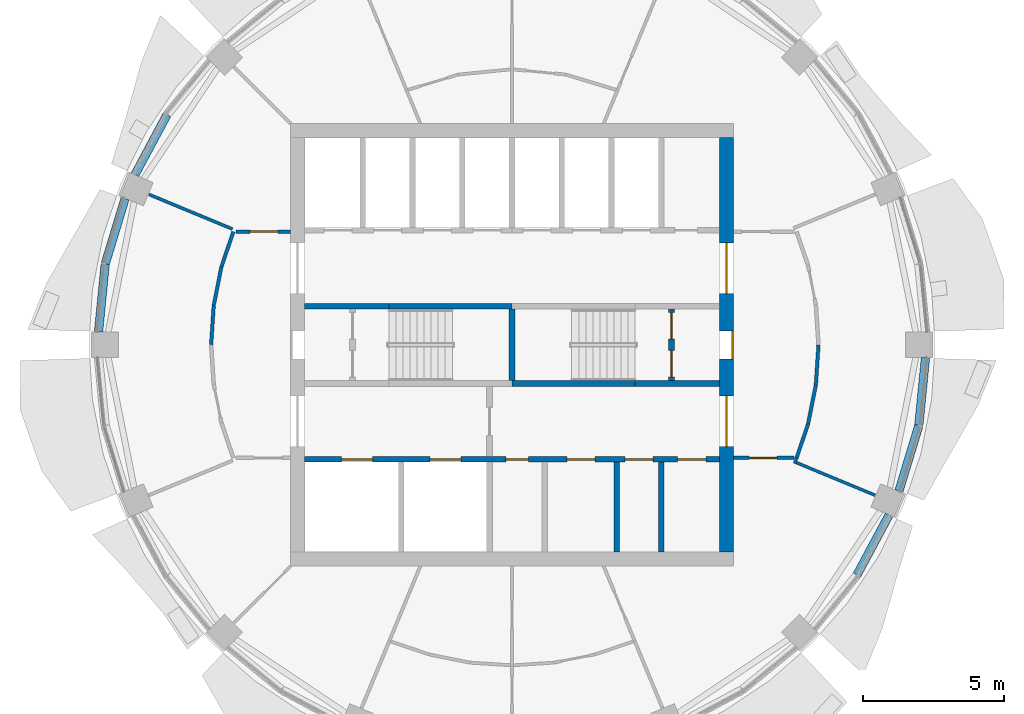
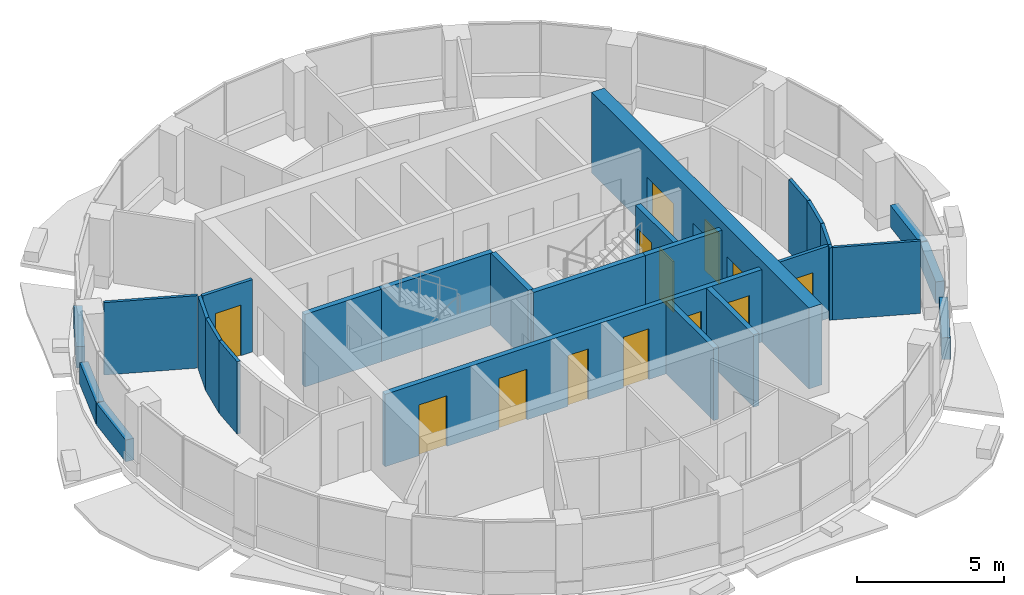
# One storey, part 8 of 14: 27 walls, 13 doors, 13 openings.
"""IFC4 building model written with IfcOpenShell, lengths in metres."""

import ifcopenshell
import ifcopenshell.guid

model = None  # the IFC model being written
_history = None  # IfcOwnerHistory: only IFC2X3 demands one
_inside = {}  # id of a spatial element -> (the spatial element, [elements in it])
_under = {}  # id of a project, library or spatial element -> (it, [spatial elements below it])
_declared = {}  # id of a project -> (the project, [libraries it declares])
_typed = {}  # id of a type object -> (the type object, [elements of that type])
_made_of = {}  # id of a material, layer set ... -> (it, [elements and type objects made of it])


def new_model(schema):
    """Start an empty IFC model of exactly this schema.

    Asked for "IFC4X3", IfcOpenShell would pick the latest addendum, in which some entities
    have other attributes; the version numbers below select the first issue.
    IFC2X3 requires an IfcOwnerHistory on every rooted entity: one is made here for all.
    """
    global model, _history
    if schema == "IFC4X3":
        model = ifcopenshell.file(schema_version=(4, 3, 0, 0))
    else:
        model = ifcopenshell.file(schema=schema)
    _inside.clear()
    _under.clear()
    _declared.clear()
    _typed.clear()
    _made_of.clear()
    _history = None
    if model.schema == "IFC2X3":
        org = make("IfcOrganization", Name="unknown")
        user = make(
            "IfcPersonAndOrganization",
            ThePerson=make("IfcPerson", FamilyName="unknown"),
            TheOrganization=org,
        )
        app = make(
            "IfcApplication",
            ApplicationDeveloper=org,
            Version="unknown",
            ApplicationFullName="unknown",
            ApplicationIdentifier="unknown",
        )
        _history = make(
            "IfcOwnerHistory",
            OwningUser=user,
            OwningApplication=app,
            ChangeAction="ADDED",
            CreationDate=0,
        )
    return model


def make(cls, **values):
    """One entity of the class cls with the attributes given. An attribute that is None is left unset."""
    return model.create_entity(
        cls, **{name: value for name, value in values.items() if value is not None}
    )


def rooted(cls, **values):
    """An entity with a GlobalId (a new one), such as an element, a storey or a relation."""
    return make(cls, GlobalId=ifcopenshell.guid.new(), OwnerHistory=_history, **values)


def si_unit(unit_type, name, prefix=None):
    """IfcSIUnit, for example si_unit("LENGTHUNIT", "METRE", prefix="MILLI")."""
    return make("IfcSIUnit", UnitType=unit_type, Prefix=prefix, Name=name)


def assignment(units):
    """IfcUnitAssignment: the units of a project."""
    return None if units is None else make("IfcUnitAssignment", Units=units)


def point(xyz):
    """IfcCartesianPoint."""
    return None if xyz is None else make("IfcCartesianPoint", Coordinates=xyz)


def direction(xyz):
    """IfcDirection."""
    return None if xyz is None else make("IfcDirection", DirectionRatios=xyz)


def frame(location, z_axis=None, x_axis=None):
    """IfcAxis2Placement3D, a coordinate frame: its origin and axes. An axis left out is left unset."""
    return make(
        "IfcAxis2Placement3D",
        Location=point(location),
        Axis=direction(z_axis),
        RefDirection=direction(x_axis),
    )


def frame_2d(location, x_axis=None):
    """IfcAxis2Placement2D, a coordinate frame in the plane: its origin and x axis."""
    return make(
        "IfcAxis2Placement2D", Location=point(location), RefDirection=direction(x_axis)
    )


def origin():
    """The frame at (0, 0, 0) with its axes left unset."""
    return frame((0.0, 0.0, 0.0))


def place(relative_to, where):
    """IfcLocalPlacement: puts the frame where relative to a parent placement (None: the world)."""
    return make(
        "IfcLocalPlacement", PlacementRelTo=relative_to, RelativePlacement=where
    )


def context(
    kind, dimensions, precision=None, world=None, true_north=None, identifier=None
):
    """IfcGeometricRepresentationContext, for example the 3D "Model" context."""
    return make(
        "IfcGeometricRepresentationContext",
        ContextIdentifier=identifier,
        ContextType=kind,
        CoordinateSpaceDimension=dimensions,
        Precision=precision,
        WorldCoordinateSystem=world,
        TrueNorth=true_north,
    )


def subcontext(parent, identifier, kind, view, scale=None):
    """IfcGeometricRepresentationSubContext, for example "Body" below "Model"."""
    return make(
        "IfcGeometricRepresentationSubContext",
        ContextIdentifier=identifier,
        ContextType=kind,
        ParentContext=parent,
        TargetScale=scale,
        TargetView=view,
    )


def project(units=None, contexts=None):
    """IfcProject with its units and contexts."""
    return rooted(
        "IfcProject",
        Name="project",
        RepresentationContexts=contexts,
        UnitsInContext=assignment(units),
    )


def spatial(cls, under=None, at=None, **own):
    """A site, building, storey or space (cls), placed at a placement, below another one or the project."""
    s = rooted(cls, ObjectPlacement=at, **own)
    if under is not None:
        _under.setdefault(under.id(), (under, []))[1].append(s)
    return s


def profile(cls, at=None, kind="AREA", **sizes):
    """A parametric profile (cls). Its sizes go by their IFC names, for example OverallWidth=200.0."""
    return make(cls, ProfileType=kind, Position=at, **sizes)


def rectangle(**sizes):
    """IfcRectangleProfileDef."""
    return profile("IfcRectangleProfileDef", **sizes)


def extrude(swept, where, along, depth):
    """IfcExtrudedAreaSolid: the profile swept, set in the frame where, extruded along a direction by depth."""
    return make(
        "IfcExtrudedAreaSolid",
        SweptArea=swept,
        Position=where,
        ExtrudedDirection=direction(along),
        Depth=depth,
    )


def shape(context_of_items, identifier, shape_type, items):
    """IfcShapeRepresentation: the items that make up one representation, for example the "Body"."""
    return make(
        "IfcShapeRepresentation",
        ContextOfItems=context_of_items,
        RepresentationIdentifier=identifier,
        RepresentationType=shape_type,
        Items=items,
    )


def material(Name=None, Category=None):
    """IfcMaterial."""
    return make("IfcMaterial", Name=Name, Category=Category)


def layer(
    of_material, thickness, ventilated=None, Name=None, Category=None, Priority=None
):
    """IfcMaterialLayer: one layer of a wall or slab, of a material (None: an air gap)."""
    return make(
        "IfcMaterialLayer",
        Material=of_material,
        LayerThickness=thickness,
        IsVentilated=ventilated,
        Name=Name,
        Category=Category,
        Priority=Priority,
    )


def layer_set(layers, Name=None):
    """IfcMaterialLayerSet."""
    return make("IfcMaterialLayerSet", MaterialLayers=layers, LayerSetName=Name)


def made_of(thing, what):
    """Note that an element or type object is made of a material, layer set ...; save() writes the relation."""
    if what is not None:
        _made_of.setdefault(what.id(), (what, []))[1].append(thing)
    return thing


def type_object(cls, material=None, **own):
    """A type object (cls), such as IfcWallType, which elements share."""
    return made_of(rooted(cls, **own), material)


def element(
    cls,
    number,
    at=None,
    inside=None,
    cuts=None,
    type_object=None,
    material=None,
    context=None,
    identifier="Body",
    shape_type=None,
    held_by="IfcProductDefinitionShape",
    body=None,
    shapes=None,
    **own,
):
    """One element of the class cls, such as IfcWall. Its Tag is "e" and its number.

    at: its placement. inside: the storey or other place that contains it. cuts: it is an
    opening in that element (IfcRelVoidsElement). A single representation is given by context,
    identifier, shape_type and body (its items); several are given by shapes. held_by: the class
    of the entity that holds the representations. save() writes the other relations.
    """
    e = rooted(cls, Tag="e%d" % number, ObjectPlacement=at, **own)
    if body is not None:
        shapes = [shape(context, identifier, shape_type, body)]
    if shapes is not None:
        e.Representation = make(held_by, Representations=shapes)
    if inside is not None:
        _inside.setdefault(inside.id(), (inside, []))[1].append(e)
    if cuts is not None:
        rooted(
            "IfcRelVoidsElement", RelatingBuildingElement=cuts, RelatedOpeningElement=e
        )
    if type_object is not None:
        _typed.setdefault(type_object.id(), (type_object, []))[1].append(e)
    return made_of(e, material)


def fill(opening, filler):
    """IfcRelFillsElement: the door or window that sits in an opening."""
    return rooted(
        "IfcRelFillsElement",
        RelatingOpeningElement=opening,
        RelatedBuildingElement=filler,
    )


def aggregate(whole, parts):
    """IfcRelAggregates: a whole, such as a stair, and the parts it consists of."""
    return rooted("IfcRelAggregates", RelatingObject=whole, RelatedObjects=parts)


def save(model, path):
    """Write the relations noted so far, then the file.

    IfcRelAggregates (storeys below a building ...), IfcRelContainedInSpatialStructure (elements
    in a storey), IfcRelDefinesByType, IfcRelAssociatesMaterial and IfcRelDeclares: one each for
    every whole, place, type object, material and project.
    """
    for whole, parts in _under.values():
        aggregate(whole, parts)
    for where, things in _inside.values():
        rooted(
            "IfcRelContainedInSpatialStructure",
            RelatedElements=things,
            RelatingStructure=where,
        )
    for kind, things in _typed.values():
        rooted("IfcRelDefinesByType", RelatedObjects=things, RelatingType=kind)
    for what, things in _made_of.values():
        rooted("IfcRelAssociatesMaterial", RelatedObjects=things, RelatingMaterial=what)
    for by, libraries in _declared.values():
        rooted("IfcRelDeclares", RelatingContext=by, RelatedDefinitions=libraries)
    model.write(path)


model = new_model("IFC4")

# Units and contexts
model_context = context("Model", 3, precision=1e-05, world=origin(), true_north=direction((0.0, 1.0)))
body_context = subcontext(model_context, "Body", "Model", "MODEL_VIEW")
ifc_project = project(units=[si_unit("LENGTHUNIT", "METRE"), si_unit("AREAUNIT", "SQUARE_METRE"), si_unit("VOLUMEUNIT", "CUBIC_METRE"), si_unit("PLANEANGLEUNIT", "RADIAN"), si_unit("MASSUNIT", "GRAM", prefix="KILO")], contexts=[model_context])

# Site, building, storey
site_placement = place(None, origin())
site = spatial("IfcSite", under=ifc_project, at=site_placement, CompositionType="ELEMENT")
building_placement = place(site_placement, origin())
building = spatial("IfcBuilding", under=site, at=building_placement, Name="Polderwave Tower", CompositionType="ELEMENT")
storey_placement = place(building_placement, frame((0.0, 0.0, 227.85009765625)))
storey = spatial("IfcBuildingStorey", under=building, at=storey_placement, Name="L62", CompositionType="ELEMENT", Elevation=227.85009765625)

# Wall, openings, doors
ifc_material_1 = material(Name="Concrete C60/75", Category="concrete")
ifc_layer_1 = layer(ifc_material_1, 0.5)
ifc_layer_set_1 = layer_set([ifc_layer_1], Name="CORE WALL 500 C60/75")
wall_type_1 = type_object("IfcWallType", Name="CORE WALL 500 C60/75", PredefinedType="SHEAR", material=ifc_layer_set_1)
wall_1_placement = place(storey_placement, frame((7.6240234375, -7.3740234375, 0.0), z_axis=(0.0, 0.0, 1.0), x_axis=(0.0, 1.0, 0.0)))
wall_1 = element("IfcWall", 1, at=wall_1_placement, inside=storey, type_object=wall_type_1, Name="ST-CORE-L62-E", PredefinedType="SHEAR", context=body_context, shape_type="SweptSolid", body=[
    extrude(rectangle(XDim=14.748046875, YDim=0.5, at=frame_2d((7.3740234375, 0.0))), origin(), (0.0, 0.0, 1.0), 3.349853515625),
])
opening_1_placement = place(wall_1_placement, frame((6.8740234375, 0.0, 0.0)))
opening_1 = element("IfcOpeningElement", 2, at=opening_1_placement, cuts=wall_1, Name="Opening L62-D23", PredefinedType="OPENING", context=body_context, shape_type="SweptSolid", body=[
    extrude(rectangle(XDim=1.0, YDim=2.10009765625, at=frame_2d((0.5, 1.050048828125))), frame((0.0, 0.260009765625, 0.0), z_axis=(0.0, -1.0, 0.0), x_axis=(1.0, 0.0, 0.0)), (0.0, 0.0, 1.0), 0.52001953125),
])
opening_2_placement = place(wall_1_placement, frame((3.74951171875, 0.0, 0.0)))
opening_2 = element("IfcOpeningElement", 3, at=opening_2_placement, cuts=wall_1, Name="Opening L62-D24", PredefinedType="OPENING", context=body_context, shape_type="SweptSolid", body=[
    extrude(rectangle(XDim=1.800048828125, YDim=2.10009765625, at=frame_2d((0.89990234375, 1.050048828125))), frame((0.0, 0.260009765625, 0.0), z_axis=(0.0, -1.0, 0.0), x_axis=(1.0, 0.0, 0.0)), (0.0, 0.0, 1.0), 0.52001953125),
])
opening_3_placement = place(wall_1_placement, frame((9.198486328125, 0.0, 0.0)))
opening_3 = element("IfcOpeningElement", 4, at=opening_3_placement, cuts=wall_1, Name="Opening L62-D25", PredefinedType="OPENING", context=body_context, shape_type="SweptSolid", body=[
    extrude(rectangle(XDim=1.800048828125, YDim=2.10009765625, at=frame_2d((0.89990234375, 1.050048828125))), frame((0.0, 0.260009765625, 0.0), z_axis=(0.0, -1.0, 0.0), x_axis=(1.0, 0.0, 0.0)), (0.0, 0.0, 1.0), 0.52001953125),
])
ifc_material_2 = material(Name="Steel fire door", Category="steel")
door_type_1 = type_object("IfcDoorType", Name="Lobby entry door pair 1800", OperationType="DOUBLE_DOOR_SINGLE_SWING", PredefinedType="DOOR", material=ifc_material_2)
door_1_placement = place(opening_2_placement, frame((1.800048828125, 0.0, 0.0), z_axis=(0.0, 0.0, 1.0), x_axis=(-1.0, 0.0, 0.0)))
door_1 = element("IfcDoor", 5, at=door_1_placement, inside=storey, type_object=door_type_1, Name="South lobby entry door", OperationType="DOUBLE_DOOR_SINGLE_SWING", OverallHeight=2.10009765625, OverallWidth=1.800048828125, PredefinedType="DOOR", context=body_context, shape_type="SweptSolid", body=[
    extrude(rectangle(XDim=1.800048828125, YDim=2.10009765625, at=frame_2d((0.89990234375, 1.050048828125))), frame((0.0, 0.02490234375, 0.0), z_axis=(0.0, -1.0, 0.0), x_axis=(1.0, 0.0, 0.0)), (0.0, 0.0, 1.0), 0.050048828125),
])
fill(opening_2, door_1)
door_2_placement = place(opening_3_placement, frame((1.800048828125, 0.0, 0.0), z_axis=(0.0, 0.0, 1.0), x_axis=(-1.0, 0.0, 0.0)))
door_2 = element("IfcDoor", 6, at=door_2_placement, inside=storey, type_object=door_type_1, Name="North lobby entry door", OperationType="DOUBLE_DOOR_SINGLE_SWING", OverallHeight=2.10009765625, OverallWidth=1.800048828125, PredefinedType="DOOR", context=body_context, shape_type="SweptSolid", body=[
    extrude(rectangle(XDim=1.800048828125, YDim=2.10009765625, at=frame_2d((0.89990234375, 1.050048828125))), frame((0.0, 0.02490234375, 0.0), z_axis=(0.0, -1.0, 0.0), x_axis=(1.0, 0.0, 0.0)), (0.0, 0.0, 1.0), 0.050048828125),
])
fill(opening_3, door_2)
door_type_2 = type_object("IfcDoorType", Name="Stair door 1000", OperationType="NOTDEFINED", PredefinedType="DOOR", material=ifc_material_2)
door_3_placement = place(opening_1_placement, frame((1.0, 0.0, 0.0), z_axis=(0.0, 0.0, 1.0), x_axis=(-1.0, 0.0, 0.0)))
door_3 = element("IfcDoor", 7, at=door_3_placement, inside=storey, type_object=door_type_2, Name="Stair B entry door", OperationType="SINGLE_SWING_LEFT", OverallHeight=2.10009765625, OverallWidth=1.0, PredefinedType="DOOR", context=body_context, shape_type="SweptSolid", body=[
    extrude(rectangle(XDim=1.0, YDim=2.10009765625, at=frame_2d((0.5, 1.050048828125))), frame((0.0, 0.25, 0.0), z_axis=(0.0, -1.0, 0.0), x_axis=(1.0, 0.0, 0.0)), (0.0, 0.0, 1.0), 0.050048828125),
])
fill(opening_1, door_3)

# Walls
ifc_material_3 = material(Name="Concrete C50/60 (board-marked)", Category="concrete")
ifc_layer_2 = layer(ifc_material_3, 0.300048828125)
ifc_layer_set_2 = layer_set([ifc_layer_2], Name="Concrete spandrel upstand C50/60")
wall_type_2 = type_object("IfcWallType", Name="Concrete spandrel upstand C50/60", PredefinedType="SOLIDWALL", material=ifc_layer_set_2)
wall_2_placement = place(storey_placement, frame((-12.27099609375, 8.180908203125, 0.0), z_axis=(0.0, 0.0, 1.0), x_axis=(-0.471318859495, -0.881962886229, 0.0)))
element("IfcWall", 8, at=wall_2_placement, inside=storey, type_object=wall_type_2, Name="Spandrel L62 7b", PredefinedType="SOLIDWALL", context=body_context, shape_type="SweptSolid", body=[
    extrude(rectangle(XDim=2.41015625, YDim=0.300048828125, at=frame_2d((1.205078125, 0.0))), origin(), (0.0, 0.0, 1.0), 0.89990234375),
])
wall_3_placement = place(storey_placement, frame((-13.762451171875, 5.198486328125, 0.0), z_axis=(0.0, 0.0, 1.0), x_axis=(-0.290412066449, -0.956901683383, 0.0)))
element("IfcWall", 9, at=wall_3_placement, inside=storey, type_object=wall_type_2, Name="Spandrel L62 8a", PredefinedType="SOLIDWALL", context=body_context, shape_type="SweptSolid", body=[
    extrude(rectangle(XDim=2.4111328125, YDim=0.300048828125, at=frame_2d((1.20556640625, 0.0))), origin(), (0.0, 0.0, 1.0), 0.89990234375),
])
wall_4_placement = place(storey_placement, frame((-14.468505859375, 2.862060546875, 0.0), z_axis=(0.0, 0.0, 1.0), x_axis=(-0.09792937678, -0.99519336672, 0.0)))
element("IfcWall", 10, at=wall_4_placement, inside=storey, type_object=wall_type_2, Name="Spandrel L62 8b", PredefinedType="SOLIDWALL", context=body_context, shape_type="SweptSolid", body=[
    extrude(rectangle(XDim=2.41064453125, YDim=0.300048828125, at=frame_2d((1.205322265625, 0.0))), origin(), (0.0, 0.0, 1.0), 0.89990234375),
])
wall_5_placement = place(storey_placement, frame((12.27099609375, -8.180908203125, 0.0), z_axis=(0.0, 0.0, 1.0), x_axis=(0.471318859495, 0.881962886229, 0.0)))
element("IfcWall", 11, at=wall_5_placement, inside=storey, type_object=wall_type_2, Name="Spandrel L62 15b", PredefinedType="SOLIDWALL", context=body_context, shape_type="SweptSolid", body=[
    extrude(rectangle(XDim=2.41015625, YDim=0.300048828125, at=frame_2d((1.205078125, 0.0))), origin(), (0.0, 0.0, 1.0), 0.89990234375),
])
wall_6_placement = place(storey_placement, frame((13.762451171875, -5.198486328125, 0.0), z_axis=(0.0, 0.0, 1.0), x_axis=(0.290412066449, 0.956901683383, 0.0)))
element("IfcWall", 12, at=wall_6_placement, inside=storey, type_object=wall_type_2, Name="Spandrel L62 16a", PredefinedType="SOLIDWALL", context=body_context, shape_type="SweptSolid", body=[
    extrude(rectangle(XDim=2.4111328125, YDim=0.300048828125, at=frame_2d((1.20556640625, 0.0))), origin(), (0.0, 0.0, 1.0), 0.89990234375),
])
wall_7_placement = place(storey_placement, frame((14.468505859375, -2.862060546875, 0.0), z_axis=(0.0, 0.0, 1.0), x_axis=(0.09792937678, 0.99519336672, 0.0)))
element("IfcWall", 13, at=wall_7_placement, inside=storey, type_object=wall_type_2, Name="Spandrel L62 16b", PredefinedType="SOLIDWALL", context=body_context, shape_type="SweptSolid", body=[
    extrude(rectangle(XDim=2.41064453125, YDim=0.300048828125, at=frame_2d((1.205322265625, 0.0))), origin(), (0.0, 0.0, 1.0), 0.89990234375),
])
ifc_material_4 = material(Name="Gypsum board partition")
ifc_layer_3 = layer(ifc_material_4, 0.199951171875)
ifc_layer_set_3 = layer_set([ifc_layer_3], Name="Core room partition 200")
wall_type_3 = type_object("IfcWallType", Name="Core room partition 200", PredefinedType="PARTITIONING", material=ifc_layer_set_3)
for number, where, z_axis, x_axis, name in (
    (14, (3.73046875, -7.3740234375, 0.0), (0.0, 0.0, 1.0), (0.0, 1.0, 0.0), "L62 room partition S2"),
    (15, (5.30712890625, -7.3740234375, 0.0), (0.0, 0.0, 1.0), (0.0, 1.0, 0.0), "L62 room partition S3"),
):
    element("IfcWall", number, at=place(storey_placement, frame(where, z_axis=z_axis, x_axis=x_axis)), inside=storey, type_object=wall_type_3, Name=name, PredefinedType="PARTITIONING", context=body_context, shape_type="SweptSolid", body=[
        extrude(rectangle(XDim=3.199951171875, YDim=0.199951171875, at=frame_2d((1.60009765625, 0.0))), origin(), (0.0, 0.0, 1.0), 3.0),
    ])

# Wall, openings, doors
wall_8_placement = place(storey_placement, frame((5.674072265625, -1.27490234375, 0.0), z_axis=(0.0, 0.0, 1.0), x_axis=(0.0, 1.0, 0.0)))
wall_8 = element("IfcWall", 16, at=wall_8_placement, inside=storey, type_object=wall_type_3, Name="L62 smoke lobby wall B", PredefinedType="PARTITIONING", context=body_context, shape_type="SweptSolid", body=[
    extrude(rectangle(XDim=2.5498046875, YDim=0.199951171875, at=frame_2d((1.27490234375, 0.0))), origin(), (0.0, 0.0, 1.0), 3.0),
])
opening_4_placement = place(wall_8_placement, frame((0.125, 0.0, 0.0)))
opening_4 = element("IfcOpeningElement", 17, at=opening_4_placement, cuts=wall_8, Name="Opening L62-D12", PredefinedType="OPENING", context=body_context, shape_type="SweptSolid", body=[
    extrude(rectangle(XDim=0.949951171875, YDim=2.10009765625, at=frame_2d((0.47509765625, 1.050048828125))), frame((0.0, 0.10986328125, 0.0), z_axis=(0.0, -1.0, 0.0), x_axis=(1.0, 0.0, 0.0)), (0.0, 0.0, 1.0), 0.219970703125),
])
opening_5_placement = place(wall_8_placement, frame((1.47509765625, 0.0, 0.0)))
opening_5 = element("IfcOpeningElement", 18, at=opening_5_placement, cuts=wall_8, Name="Opening L62-D13", PredefinedType="OPENING", context=body_context, shape_type="SweptSolid", body=[
    extrude(rectangle(XDim=0.949951171875, YDim=2.10009765625, at=frame_2d((0.47509765625, 1.050048828125))), frame((0.0, 0.10986328125, 0.0), z_axis=(0.0, -1.0, 0.0), x_axis=(1.0, 0.0, 0.0)), (0.0, 0.0, 1.0), 0.219970703125),
])
door_type_3 = type_object("IfcDoorType", Name="Smoke lobby door 950", OperationType="NOTDEFINED", PredefinedType="DOOR", material=ifc_material_2)
door_4_placement = place(opening_4_placement, frame((0.949951171875, 0.0, 0.0), z_axis=(0.0, 0.0, 1.0), x_axis=(-1.0, 0.0, 0.0)))
door_4 = element("IfcDoor", 19, at=door_4_placement, inside=storey, type_object=door_type_3, Name="Stair B smoke lobby inner door", OperationType="SINGLE_SWING_RIGHT", OverallHeight=2.10009765625, OverallWidth=0.949951171875, PredefinedType="DOOR", context=body_context, shape_type="SweptSolid", body=[
    extrude(rectangle(XDim=0.949951171875, YDim=2.10009765625, at=frame_2d((0.47509765625, 1.050048828125))), frame((0.0, 0.02490234375, 0.0), z_axis=(0.0, -1.0, 0.0), x_axis=(1.0, 0.0, 0.0)), (0.0, 0.0, 1.0), 0.050048828125),
])
fill(opening_4, door_4)
door_5_placement = place(opening_5_placement, frame((0.949951171875, 0.0, 0.0), z_axis=(0.0, 0.0, 1.0), x_axis=(-1.0, 0.0, 0.0)))
door_5 = element("IfcDoor", 20, at=door_5_placement, inside=storey, type_object=door_type_3, Name="Stair B smoke lobby inner door", OperationType="SINGLE_SWING_LEFT", OverallHeight=2.10009765625, OverallWidth=0.949951171875, PredefinedType="DOOR", context=body_context, shape_type="SweptSolid", body=[
    extrude(rectangle(XDim=0.949951171875, YDim=2.10009765625, at=frame_2d((0.47509765625, 1.050048828125))), frame((0.0, 0.02490234375, 0.0), z_axis=(0.0, -1.0, 0.0), x_axis=(1.0, 0.0, 0.0)), (0.0, 0.0, 1.0), 0.050048828125),
])
fill(opening_5, door_5)

ifc_material_5 = material(Name="Concrete C50/60", Category="concrete")
ifc_layer_4 = layer(ifc_material_5, 0.199951171875)
ifc_layer_set_4 = layer_set([ifc_layer_4], Name="Core web wall 200")
wall_type_4 = type_object("IfcWallType", Name="Core web wall 200", PredefinedType="SHEAR", material=ifc_layer_set_4)
wall_9_placement = place(storey_placement, frame((-7.3740234375, -4.073974609375, 0.0), z_axis=(0.0, 0.0, 1.0), x_axis=(1.0, 0.0, 0.0)))
wall_9 = element("IfcWall", 21, at=wall_9_placement, inside=storey, type_object=wall_type_4, Name="L62 south front wall", PredefinedType="SHEAR", context=body_context, shape_type="SweptSolid", body=[
    extrude(rectangle(XDim=14.748046875, YDim=0.199951171875, at=frame_2d((7.3740234375, 0.0))), origin(), (0.0, 0.0, 1.0), 3.0),
])
opening_6_placement = place(wall_9_placement, frame((1.318603515625, 0.0, 0.0)))
opening_6 = element("IfcOpeningElement", 22, at=opening_6_placement, cuts=wall_9, Name="Opening L62-D01", PredefinedType="OPENING", context=body_context, shape_type="SweptSolid", body=[
    extrude(rectangle(XDim=1.10009765625, YDim=2.10009765625, at=frame_2d((0.550048828125, 1.050048828125))), frame((0.0, 0.10986328125, 0.0), z_axis=(0.0, -1.0, 0.0), x_axis=(1.0, 0.0, 0.0)), (0.0, 0.0, 1.0), 0.219970703125),
])
opening_7_placement = place(wall_9_placement, frame((4.45556640625, 0.0, 0.0)))
opening_7 = element("IfcOpeningElement", 23, at=opening_7_placement, cuts=wall_9, Name="Opening L62-D02", PredefinedType="OPENING", context=body_context, shape_type="SweptSolid", body=[
    extrude(rectangle(XDim=1.10009765625, YDim=2.10009765625, at=frame_2d((0.550048828125, 1.050048828125))), frame((0.0, 0.10986328125, 0.0), z_axis=(0.0, -1.0, 0.0), x_axis=(1.0, 0.0, 0.0)), (0.0, 0.0, 1.0), 0.219970703125),
])
opening_8_placement = place(wall_9_placement, frame((7.1591796875, 0.0, 0.0)))
opening_8 = element("IfcOpeningElement", 24, at=opening_8_placement, cuts=wall_9, Name="Opening L62-D15", PredefinedType="OPENING", context=body_context, shape_type="SweptSolid", body=[
    extrude(rectangle(XDim=0.800048828125, YDim=2.10009765625, at=frame_2d((0.39990234375, 1.050048828125))), frame((0.0, 0.10986328125, 0.0), z_axis=(0.0, -1.0, 0.0), x_axis=(1.0, 0.0, 0.0)), (0.0, 0.0, 1.0), 0.219970703125),
])
opening_9_placement = place(wall_9_placement, frame((9.32421875, 0.0, 0.0)))
opening_9 = element("IfcOpeningElement", 25, at=opening_9_placement, cuts=wall_9, Name="Opening L62-D16", PredefinedType="OPENING", context=body_context, shape_type="SweptSolid", body=[
    extrude(rectangle(XDim=1.0, YDim=2.10009765625, at=frame_2d((0.5, 1.050048828125))), frame((0.0, 0.10986328125, 0.0), z_axis=(0.0, -1.0, 0.0), x_axis=(1.0, 0.0, 0.0)), (0.0, 0.0, 1.0), 0.219970703125),
])
opening_10_placement = place(wall_9_placement, frame((11.392822265625, 0.0, 0.0)))
opening_10 = element("IfcOpeningElement", 26, at=opening_10_placement, cuts=wall_9, Name="Opening L62-D17", PredefinedType="OPENING", context=body_context, shape_type="SweptSolid", body=[
    extrude(rectangle(XDim=1.0, YDim=2.10009765625, at=frame_2d((0.5, 1.050048828125))), frame((0.0, 0.10986328125, 0.0), z_axis=(0.0, -1.0, 0.0), x_axis=(1.0, 0.0, 0.0)), (0.0, 0.0, 1.0), 0.219970703125),
])
opening_11_placement = place(wall_9_placement, frame((13.2646484375, 0.0, 0.0)))
opening_11 = element("IfcOpeningElement", 27, at=opening_11_placement, cuts=wall_9, Name="Opening L62-D18", PredefinedType="OPENING", context=body_context, shape_type="SweptSolid", body=[
    extrude(rectangle(XDim=1.0, YDim=2.10009765625, at=frame_2d((0.5, 1.050048828125))), frame((0.0, 0.10986328125, 0.0), z_axis=(0.0, -1.0, 0.0), x_axis=(1.0, 0.0, 0.0)), (0.0, 0.0, 1.0), 0.219970703125),
])
ifc_material_6 = material(Name="Stainless steel", Category="steel")
door_type_4 = type_object("IfcDoorType", Name="Fire-fighting lift landing door 1100", OperationType="DOUBLE_DOOR_SLIDING", PredefinedType="DOOR", material=ifc_material_6)
door_6_placement = place(opening_6_placement, origin())
door_6 = element("IfcDoor", 28, at=door_6_placement, inside=storey, type_object=door_type_4, Name="Fire-fighting lift FF1 landing door", OperationType="DOUBLE_DOOR_SLIDING", OverallHeight=2.10009765625, OverallWidth=1.10009765625, PredefinedType="DOOR", context=body_context, shape_type="SweptSolid", body=[
    extrude(rectangle(XDim=1.10009765625, YDim=2.10009765625, at=frame_2d((0.550048828125, 1.050048828125))), frame((0.0, 0.02490234375, 0.0), z_axis=(0.0, -1.0, 0.0), x_axis=(1.0, 0.0, 0.0)), (0.0, 0.0, 1.0), 0.050048828125),
])
fill(opening_6, door_6)
door_7_placement = place(opening_7_placement, origin())
door_7 = element("IfcDoor", 29, at=door_7_placement, inside=storey, type_object=door_type_4, Name="Fire-fighting lift FF2 landing door", OperationType="DOUBLE_DOOR_SLIDING", OverallHeight=2.10009765625, OverallWidth=1.10009765625, PredefinedType="DOOR", context=body_context, shape_type="SweptSolid", body=[
    extrude(rectangle(XDim=1.10009765625, YDim=2.10009765625, at=frame_2d((0.550048828125, 1.050048828125))), frame((0.0, 0.02490234375, 0.0), z_axis=(0.0, -1.0, 0.0), x_axis=(1.0, 0.0, 0.0)), (0.0, 0.0, 1.0), 0.050048828125),
])
fill(opening_7, door_7)
door_type_5 = type_object("IfcDoorType", Name="Riser door 800", OperationType="NOTDEFINED", PredefinedType="DOOR", material=ifc_material_2)
door_8_placement = place(opening_8_placement, origin())
door_8 = element("IfcDoor", 30, at=door_8_placement, inside=storey, type_object=door_type_5, Name="Communications room door", OperationType="SINGLE_SWING_RIGHT", OverallHeight=2.10009765625, OverallWidth=0.800048828125, PredefinedType="DOOR", context=body_context, shape_type="SweptSolid", body=[
    extrude(rectangle(XDim=0.800048828125, YDim=2.10009765625, at=frame_2d((0.39990234375, 1.050048828125))), frame((0.0, 0.02490234375, 0.0), z_axis=(0.0, -1.0, 0.0), x_axis=(1.0, 0.0, 0.0)), (0.0, 0.0, 1.0), 0.050048828125),
])
fill(opening_8, door_8)
ifc_material_7 = material(Name="Timber door leaf", Category="wood")
door_type_6 = type_object("IfcDoorType", Name="Room door 1000", OperationType="NOTDEFINED", PredefinedType="DOOR", material=ifc_material_7)
door_9_placement = place(opening_9_placement, frame((1.0, 0.0, 0.0), z_axis=(0.0, 0.0, 1.0), x_axis=(-1.0, 0.0, 0.0)))
door_9 = element("IfcDoor", 31, at=door_9_placement, inside=storey, type_object=door_type_6, Name="Store door", OperationType="SINGLE_SWING_LEFT", OverallHeight=2.10009765625, OverallWidth=1.0, PredefinedType="DOOR", context=body_context, shape_type="SweptSolid", body=[
    extrude(rectangle(XDim=1.0, YDim=2.10009765625, at=frame_2d((0.5, 1.050048828125))), frame((0.0, 0.02490234375, 0.0), z_axis=(0.0, -1.0, 0.0), x_axis=(1.0, 0.0, 0.0)), (0.0, 0.0, 1.0), 0.050048828125),
])
fill(opening_9, door_9)
door_10_placement = place(opening_10_placement, frame((1.0, 0.0, 0.0), z_axis=(0.0, 0.0, 1.0), x_axis=(-1.0, 0.0, 0.0)))
door_10 = element("IfcDoor", 32, at=door_10_placement, inside=storey, type_object=door_type_6, Name="Staff WC door", OperationType="SINGLE_SWING_LEFT", OverallHeight=2.10009765625, OverallWidth=1.0, PredefinedType="DOOR", context=body_context, shape_type="SweptSolid", body=[
    extrude(rectangle(XDim=1.0, YDim=2.10009765625, at=frame_2d((0.5, 1.050048828125))), frame((0.0, 0.02490234375, 0.0), z_axis=(0.0, -1.0, 0.0), x_axis=(1.0, 0.0, 0.0)), (0.0, 0.0, 1.0), 0.050048828125),
])
fill(opening_10, door_10)
door_11_placement = place(opening_11_placement, frame((1.0, 0.0, 0.0), z_axis=(0.0, 0.0, 1.0), x_axis=(-1.0, 0.0, 0.0)))
door_11 = element("IfcDoor", 33, at=door_11_placement, inside=storey, type_object=door_type_6, Name="Housekeeping store door", OperationType="SINGLE_SWING_LEFT", OverallHeight=2.10009765625, OverallWidth=1.0, PredefinedType="DOOR", context=body_context, shape_type="SweptSolid", body=[
    extrude(rectangle(XDim=1.0, YDim=2.10009765625, at=frame_2d((0.5, 1.050048828125))), frame((0.0, 0.02490234375, 0.0), z_axis=(0.0, -1.0, 0.0), x_axis=(1.0, 0.0, 0.0)), (0.0, 0.0, 1.0), 0.050048828125),
])
fill(opening_11, door_11)

# Walls
wall_10_placement = place(storey_placement, frame((0.0, -1.375, 0.0), z_axis=(0.0, 0.0, 1.0), x_axis=(1.0, 0.0, 0.0)))
element("IfcWall", 34, at=wall_10_placement, inside=storey, type_object=wall_type_4, Name="L62 south stair wall 3", PredefinedType="SHEAR", context=body_context, shape_type="SweptSolid", body=[
    extrude(rectangle(XDim=4.3740234375, YDim=0.199951171875, at=frame_2d((2.18701171875, 0.0))), origin(), (0.0, 0.0, 1.0), 3.0),
])
for number, where, z_axis, x_axis, name in (
    (35, (4.3740234375, -1.375, 0.0), (0.0, 0.0, 1.0), (1.0, 0.0, 0.0), "L62 south stair wall 4"),
    (36, (-7.3740234375, 1.375, 0.0), (0.0, 0.0, 1.0), (1.0, 0.0, 0.0), "L62 north stair wall 1"),
):
    element("IfcWall", number, at=place(storey_placement, frame(where, z_axis=z_axis, x_axis=x_axis)), inside=storey, type_object=wall_type_4, Name=name, PredefinedType="SHEAR", context=body_context, shape_type="SweptSolid", body=[
        extrude(rectangle(XDim=3.0, YDim=0.199951171875, at=frame_2d((1.5, 0.0))), origin(), (0.0, 0.0, 1.0), 3.0),
    ])
wall_11_placement = place(storey_placement, frame((-4.3740234375, 1.375, 0.0), z_axis=(0.0, 0.0, 1.0), x_axis=(1.0, 0.0, 0.0)))
element("IfcWall", 37, at=wall_11_placement, inside=storey, type_object=wall_type_4, Name="L62 north stair wall 2", PredefinedType="SHEAR", context=body_context, shape_type="SweptSolid", body=[
    extrude(rectangle(XDim=4.3740234375, YDim=0.199951171875, at=frame_2d((2.18701171875, 0.0))), origin(), (0.0, 0.0, 1.0), 3.0),
])
wall_12_placement = place(storey_placement, frame((0.0, -1.27490234375, 0.0), z_axis=(0.0, 0.0, 1.0), x_axis=(0.0, 1.0, 0.0)))
element("IfcWall", 38, at=wall_12_placement, inside=storey, type_object=wall_type_4, Name="L62 wall between the stairs", PredefinedType="SHEAR", context=body_context, shape_type="SweptSolid", body=[
    extrude(rectangle(XDim=2.5498046875, YDim=0.199951171875, at=frame_2d((1.27490234375, 0.0))), origin(), (0.0, 0.0, 1.0), 3.0),
])
ifc_material_8 = material(Name="Fire-resisting board on steel studs", Category="steel")
ifc_layer_5 = layer(ifc_material_8, 0.125)
ifc_layer_set_5 = layer_set([ifc_layer_5], Name="Corridor wall 125 mm EI 60")
wall_type_5 = type_object("IfcWallType", Name="Corridor wall 125 mm EI 60", PredefinedType="PARTITIONING", material=ifc_layer_set_5)
wall_13_placement = place(storey_placement, frame((10.52734375, -2.824951171875, 0.0), z_axis=(0.0, 0.0, 1.0), x_axis=(-0.321484610675, -0.946914803506, 0.0)))
element("IfcWall", 39, at=wall_13_placement, inside=storey, type_object=wall_type_5, Name="IN-L62-W002", PredefinedType="PARTITIONING", context=body_context, shape_type="SweptSolid", body=[
    extrude(rectangle(XDim=1.2666015625, YDim=0.125, at=frame_2d((0.63330078125, 0.0))), origin(), (0.0, 0.0, 1.0), 3.0),
])
wall_14_placement = place(storey_placement, frame((10.805908203125, -1.4267578125, 0.0), z_axis=(0.0, 0.0, 1.0), x_axis=(-0.195122471741, -0.980778884878, 0.0)))
element("IfcWall", 40, at=wall_14_placement, inside=storey, type_object=wall_type_5, Name="IN-L62-W004", PredefinedType="PARTITIONING", context=body_context, shape_type="SweptSolid", body=[
    extrude(rectangle(XDim=1.417724609375, YDim=0.125, at=frame_2d((0.708984375, 0.0))), origin(), (0.0, 0.0, 1.0), 3.0),
])
wall_15_placement = place(storey_placement, frame((10.899658203125, -0.004150390625, 0.0), z_axis=(0.0, 0.0, 1.0), x_axis=(-0.065444487472, -0.997856211615, 0.0)))
element("IfcWall", 41, at=wall_15_placement, inside=storey, type_object=wall_type_5, Name="IN-L62-W006", PredefinedType="PARTITIONING", context=body_context, shape_type="SweptSolid", body=[
    extrude(rectangle(XDim=1.41748046875, YDim=0.125, at=frame_2d((0.708740234375, 0.0))), origin(), (0.0, 0.0, 1.0), 3.0),
])

# Wall, opening, door
wall_16_placement = place(storey_placement, frame((10.032958984375, -4.0244140625, 0.0), z_axis=(0.0, 0.0, 1.0), x_axis=(-1.0, 0.0, 0.0)))
wall_16 = element("IfcWall", 42, at=wall_16_placement, inside=storey, type_object=wall_type_5, Name="IN-L62-W008", PredefinedType="PARTITIONING", context=body_context, shape_type="SweptSolid", body=[
    extrude(rectangle(XDim=2.158935546875, YDim=0.125, at=frame_2d((1.07958984375, 0.0))), origin(), (0.0, 0.0, 1.0), 3.0),
])
opening_12_placement = place(wall_16_placement, frame((0.60009765625, 0.0, 0.0)))
opening_12 = element("IfcOpeningElement", 43, at=opening_12_placement, cuts=wall_16, Name="Opening L62-D52", PredefinedType="OPENING", context=body_context, shape_type="SweptSolid", body=[
    extrude(rectangle(XDim=1.0, YDim=2.10009765625, at=frame_2d((0.5, 1.050048828125))), frame((0.0, 0.072509765625, 0.0), z_axis=(0.0, -1.0, 0.0), x_axis=(1.0, 0.0, 0.0)), (0.0, 0.0, 1.0), 0.14501953125),
])
ifc_material_9 = material(Name="Timber fire door leaf", Category="wood")
door_type_7 = type_object("IfcDoorType", Name="Fire door FD30S 1000 x 2100", OperationType="NOTDEFINED", PredefinedType="DOOR", material=ifc_material_9)
door_12_placement = place(opening_12_placement, origin())
door_12 = element("IfcDoor", 44, at=door_12_placement, inside=storey, type_object=door_type_7, Name="Door L62-D52", OperationType="SINGLE_SWING_RIGHT", OverallHeight=2.10009765625, OverallWidth=1.0, PredefinedType="DOOR", context=body_context, shape_type="SweptSolid", body=[
    extrude(rectangle(XDim=1.0, YDim=2.10009765625, at=frame_2d((0.5, 1.050048828125))), frame((0.0, 0.02490234375, 0.0), z_axis=(0.0, -1.0, 0.0), x_axis=(1.0, 0.0, 0.0)), (0.0, 0.0, 1.0), 0.050048828125),
])
fill(opening_12, door_12)

wall_17_placement = place(storey_placement, frame((-9.822021484375, 4.0244140625, 0.0), z_axis=(0.0, 0.0, 1.0), x_axis=(1.0, 0.0, 0.0)))
wall_17 = element("IfcWall", 45, at=wall_17_placement, inside=storey, type_object=wall_type_5, Name="IN-L62-W009", PredefinedType="PARTITIONING", context=body_context, shape_type="SweptSolid", body=[
    extrude(rectangle(XDim=1.947998046875, YDim=0.125, at=frame_2d((0.97412109375, 0.0))), origin(), (0.0, 0.0, 1.0), 3.0),
])
opening_13_placement = place(wall_17_placement, frame((0.5, 0.0, 0.0)))
opening_13 = element("IfcOpeningElement", 46, at=opening_13_placement, cuts=wall_17, Name="Opening L62-D53", PredefinedType="OPENING", context=body_context, shape_type="SweptSolid", body=[
    extrude(rectangle(XDim=1.0, YDim=2.10009765625, at=frame_2d((0.5, 1.050048828125))), frame((0.0, 0.072509765625, 0.0), z_axis=(0.0, -1.0, 0.0), x_axis=(1.0, 0.0, 0.0)), (0.0, 0.0, 1.0), 0.14501953125),
])
door_13_placement = place(opening_13_placement, origin())
door_13 = element("IfcDoor", 47, at=door_13_placement, inside=storey, type_object=door_type_7, Name="Door L62-D53", OperationType="SINGLE_SWING_RIGHT", OverallHeight=2.10009765625, OverallWidth=1.0, PredefinedType="DOOR", context=body_context, shape_type="SweptSolid", body=[
    extrude(rectangle(XDim=1.0, YDim=2.10009765625, at=frame_2d((0.5, 1.050048828125))), frame((0.0, 0.02490234375, 0.0), z_axis=(0.0, -1.0, 0.0), x_axis=(1.0, 0.0, 0.0)), (0.0, 0.0, 1.0), 0.050048828125),
])
fill(opening_13, door_13)

# Walls
wall_18_placement = place(storey_placement, frame((-10.69970703125, 0.004150390625, 0.0), z_axis=(0.0, 0.0, 1.0), x_axis=(0.065272849091, 0.997867453709, 0.0)))
element("IfcWall", 48, at=wall_18_placement, inside=storey, type_object=wall_type_5, Name="IN-L62-W010", PredefinedType="PARTITIONING", context=body_context, shape_type="SweptSolid", body=[
    extrude(rectangle(XDim=1.391357421875, YDim=0.125, at=frame_2d((0.69580078125, 0.0))), origin(), (0.0, 0.0, 1.0), 3.0),
])
wall_19_placement = place(storey_placement, frame((-10.607666015625, 1.400634765625, 0.0), z_axis=(0.0, 0.0, 1.0), x_axis=(0.195103801462, 0.980782599078, 0.0)))
element("IfcWall", 49, at=wall_19_placement, inside=storey, type_object=wall_type_5, Name="IN-L62-W012", PredefinedType="PARTITIONING", context=body_context, shape_type="SweptSolid", body=[
    extrude(rectangle(XDim=1.3916015625, YDim=0.125, at=frame_2d((0.69580078125, 0.0))), origin(), (0.0, 0.0, 1.0), 3.0),
])
wall_20_placement = place(storey_placement, frame((-10.333984375, 2.773193359375, 0.0), z_axis=(0.0, 0.0, 1.0), x_axis=(0.321488657109, 0.946913429702, 0.0)))
element("IfcWall", 50, at=wall_20_placement, inside=storey, type_object=wall_type_5, Name="IN-L62-W014", PredefinedType="PARTITIONING", context=body_context, shape_type="SweptSolid", body=[
    extrude(rectangle(XDim=1.3212890625, YDim=0.125, at=frame_2d((0.66064453125, 0.0))), origin(), (0.0, 0.0, 1.0), 3.0),
])
ifc_material_10 = material(Name="Moisture-resistant board on steel studs, tiled", Category="steel")
ifc_layer_6 = layer(ifc_material_10, 0.10498046875)
ifc_layer_set_6 = layer_set([ifc_layer_6], Name="Partition 105 mm wet room board and tile")
wall_type_6 = type_object("IfcWallType", Name="Partition 105 mm wet room board and tile", PredefinedType="PARTITIONING", material=ifc_layer_set_6)
wall_21_placement = place(storey_placement, frame((10.053466796875, -4.220947265625, 0.0), z_axis=(0.0, 0.0, 1.0), x_axis=(0.321164468818, 0.947023433696, 0.0)))
element("IfcWall", 51, at=wall_21_placement, inside=storey, type_object=wall_type_6, Name="IN-L62-W018", PredefinedType="PARTITIONING", context=body_context, shape_type="SweptSolid", body=[
    extrude(rectangle(XDim=0.20751953125, YDim=0.10498046875, at=frame_2d((0.103759765625, 0.0))), origin(), (0.0, 0.0, 1.0), 3.0),
])
wall_22_placement = place(storey_placement, frame((12.906494140625, -5.34619140625, 0.0), z_axis=(0.0, 0.0, 1.0), x_axis=(-0.923853917674, 0.3827452662, 0.0)))
element("IfcWall", 52, at=wall_22_placement, inside=storey, type_object=wall_type_6, Name="IN-L62-W019", PredefinedType="PARTITIONING", context=body_context, shape_type="SweptSolid", body=[
    extrude(rectangle(XDim=3.013916015625, YDim=0.10498046875, at=frame_2d((1.5068359375, 0.0))), origin(), (0.0, 0.0, 1.0), 3.0),
])
ifc_material_11 = material(Name="Acoustic double plasterboard on steel studs", Category="steel")
ifc_layer_7 = layer(ifc_material_11, 0.110107421875)
ifc_layer_set_7 = layer_set([ifc_layer_7], Name="Partition 110 mm acoustic double board")
wall_type_7 = type_object("IfcWallType", Name="Partition 110 mm acoustic double board", PredefinedType="PARTITIONING", material=ifc_layer_set_7)
wall_23_placement = place(storey_placement, frame((-9.939697265625, 4.1171875, 0.0), z_axis=(0.0, 0.0, 1.0), x_axis=(-0.923866716252, 0.382714372088, 0.0)))
element("IfcWall", 53, at=wall_23_placement, inside=storey, type_object=wall_type_7, Name="IN-L62-W031", PredefinedType="PARTITIONING", context=body_context, shape_type="SweptSolid", body=[
    extrude(rectangle(XDim=3.211181640625, YDim=0.110107421875, at=frame_2d((1.60546875, 0.0))), origin(), (0.0, 0.0, 1.0), 3.0),
])

save(model, "model.ifc")
